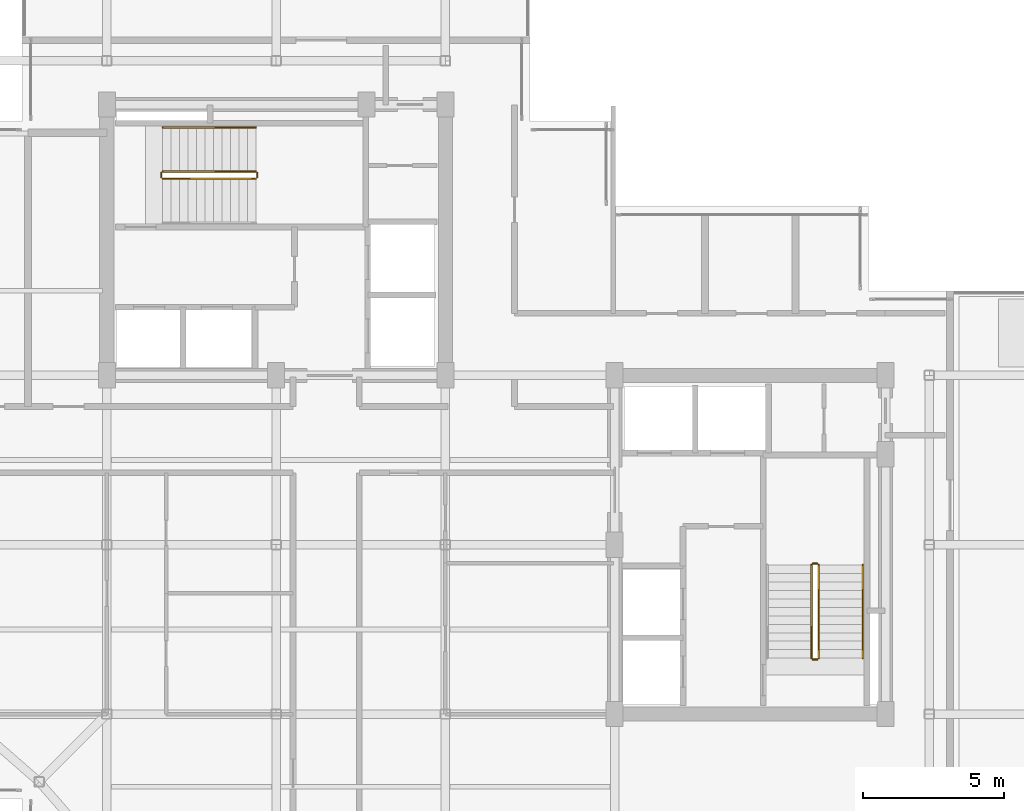
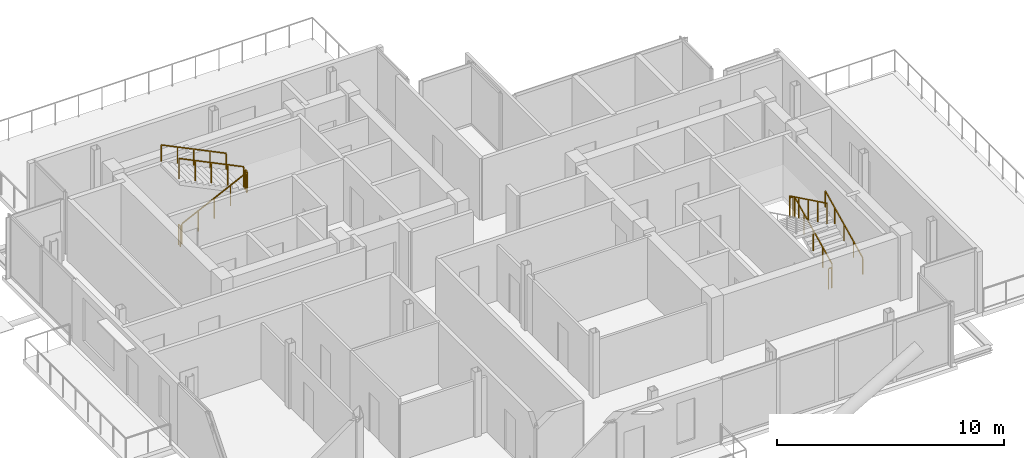
# One storey, part 18 of 19: 10 railings.
"""IFC4 building model written with IfcOpenShell, lengths in metres."""

from ifc_helpers import new_model, si_unit, direction, frame, origin, origin_2d, place, context, subcontext, project, spatial, rectangle, extrude, material, type_object, element, save


model = new_model("IFC4")

# Units and contexts
model_context = context("Model", 3, precision=1e-05, world=origin(), true_north=direction((0.0, 1.0)))
body_context = subcontext(model_context, "Body", "Model", "MODEL_VIEW")
ifc_project = project(units=[si_unit("LENGTHUNIT", "METRE"), si_unit("AREAUNIT", "SQUARE_METRE"), si_unit("VOLUMEUNIT", "CUBIC_METRE"), si_unit("PLANEANGLEUNIT", "RADIAN"), si_unit("MASSUNIT", "GRAM", prefix="KILO"), si_unit("THERMODYNAMICTEMPERATUREUNIT", "KELVIN"), si_unit("POWERUNIT", "WATT")], contexts=[model_context])

# Site, building, storey
site_placement = place(None, origin())
site = spatial("IfcSite", under=ifc_project, at=site_placement, CompositionType="ELEMENT")
building_placement = place(site_placement, origin())
building = spatial("IfcBuilding", under=site, at=building_placement, Name="Svarakhadi Broadcast Tower", CompositionType="ELEMENT")
storey_placement = place(building_placement, frame((0.0, 0.0, 239.699951171875)))
storey = spatial("IfcBuildingStorey", under=building, at=storey_placement, Name="L59", CompositionType="ELEMENT", Elevation=239.699951171875)

# Railings
ifc_material = material(Name="Anodised Bronze Aluminium AA 6063-T6", Category="aluminium")
railing_type_1 = type_object("IfcRailingType", Name="Guard_Stair_GR01", PredefinedType="GUARDRAIL", material=ifc_material)
railing_1_placement = place(storey_placement, frame((7.97998046875, 24.969970703125, 0.14599609375)))
element("IfcRailing", 1, at=railing_1_placement, inside=storey, type_object=railing_type_1, Name="L59 ST-01 stair guard 1", PredefinedType="GUARDRAIL", context=body_context, shape_type="SweptSolid", body=[
    extrude(rectangle(XDim=0.048095703125, YDim=0.048095703125, at=origin_2d()), frame((0.0, 0.0, 1.09619140625), z_axis=(0.899387838337, 0.0, 0.437151594131), x_axis=(0.0, 1.0, 0.0)), (0.0, 0.0, 1.0), 3.669189453125),
    extrude(rectangle(XDim=0.0419921875, YDim=0.0419921875, at=origin_2d()), origin(), (0.0, 0.0, 1.0), 1.072021484375),
    extrude(rectangle(XDim=0.0419921875, YDim=0.0419921875, at=origin_2d()), frame((0.824951171875, 0.0, 0.40087890625)), (0.0, 0.0, 1.0), 1.072021484375),
    extrude(rectangle(XDim=0.0419921875, YDim=0.0419921875, at=origin_2d()), frame((1.64990234375, 0.0, 0.802001953125)), (0.0, 0.0, 1.0), 1.072021484375),
    extrude(rectangle(XDim=0.0419921875, YDim=0.0419921875, at=origin_2d()), frame((2.47509765625, 0.0, 1.203125)), (0.0, 0.0, 1.0), 1.072021484375),
    extrude(rectangle(XDim=0.0419921875, YDim=0.0419921875, at=origin_2d()), frame((3.300048828125, 0.0, 1.60400390625)), (0.0, 0.0, 1.0), 1.072021484375),
])
railing_2_placement = place(storey_placement, frame((11.330078125, 25.02001953125, 1.75)))
element("IfcRailing", 2, at=railing_2_placement, inside=storey, type_object=railing_type_1, Name="L59 ST-01 stair guard 2", PredefinedType="GUARDRAIL", context=body_context, shape_type="SweptSolid", body=[
    extrude(rectangle(XDim=0.048095703125, YDim=0.048095703125, at=origin_2d()), frame((0.0, 0.0, 1.09619140625), z_axis=(0.0, 1.0, 0.0), x_axis=(-1.0, 0.0, 0.0)), (0.0, 0.0, 1.0), 0.159912109375),
    extrude(rectangle(XDim=0.0419921875, YDim=0.0419921875, at=origin_2d()), origin(), (0.0, 0.0, 1.0), 1.072021484375),
    extrude(rectangle(XDim=0.0419921875, YDim=0.0419921875, at=origin_2d()), frame((0.0, 0.159912109375, 0.0)), (0.0, 0.0, 1.0), 1.072021484375),
])
railing_3_placement = place(storey_placement, frame((11.280029296875, 25.22998046875, 1.89599609375)))
element("IfcRailing", 3, at=railing_3_placement, inside=storey, type_object=railing_type_1, Name="L59 ST-01 stair guard 3", PredefinedType="GUARDRAIL", context=body_context, shape_type="SweptSolid", body=[
    extrude(rectangle(XDim=0.048095703125, YDim=0.048095703125, at=origin_2d()), frame((0.0, 0.0, 1.09619140625), z_axis=(-0.899387838337, 0.0, 0.437151594131), x_axis=(0.0, -1.0, 0.0)), (0.0, 0.0, 1.0), 3.669189453125),
    extrude(rectangle(XDim=0.0419921875, YDim=0.0419921875, at=origin_2d()), origin(), (0.0, 0.0, 1.0), 1.072021484375),
    extrude(rectangle(XDim=0.0419921875, YDim=0.0419921875, at=origin_2d()), frame((-0.824951171875, 0.0, 0.40087890625)), (0.0, 0.0, 1.0), 1.072021484375),
    extrude(rectangle(XDim=0.0419921875, YDim=0.0419921875, at=origin_2d()), frame((-1.64990234375, 0.0, 0.802001953125)), (0.0, 0.0, 1.0), 1.072021484375),
    extrude(rectangle(XDim=0.0419921875, YDim=0.0419921875, at=origin_2d()), frame((-2.47509765625, 0.0, 1.203125)), (0.0, 0.0, 1.0), 1.072021484375),
    extrude(rectangle(XDim=0.0419921875, YDim=0.0419921875, at=origin_2d()), frame((-3.300048828125, 0.0, 1.60400390625)), (0.0, 0.0, 1.0), 1.072021484375),
])
railing_4_placement = place(storey_placement, frame((7.929931640625, 25.02001953125, 0.0)))
element("IfcRailing", 4, at=railing_4_placement, inside=storey, type_object=railing_type_1, Name="L59 ST-01 stair guard 4", PredefinedType="GUARDRAIL", context=body_context, shape_type="SweptSolid", body=[
    extrude(rectangle(XDim=0.048095703125, YDim=0.048095703125, at=origin_2d()), frame((0.0, 0.0, 1.09619140625), z_axis=(0.0, 1.0, 0.0), x_axis=(-1.0, 0.0, 0.0)), (0.0, 0.0, 1.0), 0.159912109375),
    extrude(rectangle(XDim=0.0419921875, YDim=0.0419921875, at=origin_2d()), origin(), (0.0, 0.0, 1.0), 1.072021484375),
    extrude(rectangle(XDim=0.0419921875, YDim=0.0419921875, at=origin_2d()), frame((0.0, 0.159912109375, 0.0)), (0.0, 0.0, 1.0), 1.072021484375),
])
railing_5_placement = place(storey_placement, frame((31.22998046875, 7.97998046875, 0.14599609375)))
element("IfcRailing", 5, at=railing_5_placement, inside=storey, type_object=railing_type_1, Name="L59 ST-02 stair guard 1", PredefinedType="GUARDRAIL", context=body_context, shape_type="SweptSolid", body=[
    extrude(rectangle(XDim=0.048095703125, YDim=0.048095703125, at=origin_2d()), frame((0.0, 0.0, 1.09619140625), z_axis=(0.0, 0.899387838337, 0.437151594131), x_axis=(-1.0, 0.0, 0.0)), (0.0, 0.0, 1.0), 3.669189453125),
    extrude(rectangle(XDim=0.0419921875, YDim=0.0419921875, at=origin_2d()), origin(), (0.0, 0.0, 1.0), 1.072021484375),
    extrude(rectangle(XDim=0.0419921875, YDim=0.0419921875, at=origin_2d()), frame((0.0, 0.824951171875, 0.40087890625)), (0.0, 0.0, 1.0), 1.072021484375),
    extrude(rectangle(XDim=0.0419921875, YDim=0.0419921875, at=origin_2d()), frame((0.0, 1.64990234375, 0.802001953125)), (0.0, 0.0, 1.0), 1.072021484375),
    extrude(rectangle(XDim=0.0419921875, YDim=0.0419921875, at=origin_2d()), frame((0.0, 2.47509765625, 1.203125)), (0.0, 0.0, 1.0), 1.072021484375),
    extrude(rectangle(XDim=0.0419921875, YDim=0.0419921875, at=origin_2d()), frame((0.0, 3.300048828125, 1.60400390625)), (0.0, 0.0, 1.0), 1.072021484375),
])
railing_6_placement = place(storey_placement, frame((31.179931640625, 11.330078125, 1.75)))
element("IfcRailing", 6, at=railing_6_placement, inside=storey, type_object=railing_type_1, Name="L59 ST-02 stair guard 2", PredefinedType="GUARDRAIL", context=body_context, shape_type="SweptSolid", body=[
    extrude(rectangle(XDim=0.048095703125, YDim=0.048095703125, at=origin_2d()), frame((0.0, 0.0, 1.09619140625), z_axis=(-1.0, 0.0, 0.0), x_axis=(0.0, -1.0, 0.0)), (0.0, 0.0, 1.0), 0.159912109375),
    extrude(rectangle(XDim=0.0419921875, YDim=0.0419921875, at=origin_2d()), origin(), (0.0, 0.0, 1.0), 1.072021484375),
    extrude(rectangle(XDim=0.0419921875, YDim=0.0419921875, at=origin_2d()), frame((-0.159912109375, 0.0, 0.0)), (0.0, 0.0, 1.0), 1.072021484375),
])
railing_7_placement = place(storey_placement, frame((30.969970703125, 11.280029296875, 1.89599609375)))
element("IfcRailing", 7, at=railing_7_placement, inside=storey, type_object=railing_type_1, Name="L59 ST-02 stair guard 3", PredefinedType="GUARDRAIL", context=body_context, shape_type="SweptSolid", body=[
    extrude(rectangle(XDim=0.048095703125, YDim=0.048095703125, at=origin_2d()), frame((0.0, 0.0, 1.09619140625), z_axis=(0.0, -0.899387838337, 0.437151594131), x_axis=(1.0, 0.0, 0.0)), (0.0, 0.0, 1.0), 3.669189453125),
    extrude(rectangle(XDim=0.0419921875, YDim=0.0419921875, at=origin_2d()), origin(), (0.0, 0.0, 1.0), 1.072021484375),
    extrude(rectangle(XDim=0.0419921875, YDim=0.0419921875, at=origin_2d()), frame((0.0, -0.824951171875, 0.40087890625)), (0.0, 0.0, 1.0), 1.072021484375),
    extrude(rectangle(XDim=0.0419921875, YDim=0.0419921875, at=origin_2d()), frame((0.0, -1.64990234375, 0.802001953125)), (0.0, 0.0, 1.0), 1.072021484375),
    extrude(rectangle(XDim=0.0419921875, YDim=0.0419921875, at=origin_2d()), frame((0.0, -2.47509765625, 1.203125)), (0.0, 0.0, 1.0), 1.072021484375),
    extrude(rectangle(XDim=0.0419921875, YDim=0.0419921875, at=origin_2d()), frame((0.0, -3.300048828125, 1.60400390625)), (0.0, 0.0, 1.0), 1.072021484375),
])
railing_8_placement = place(storey_placement, frame((31.179931640625, 7.929931640625, 0.0)))
element("IfcRailing", 8, at=railing_8_placement, inside=storey, type_object=railing_type_1, Name="L59 ST-02 stair guard 4", PredefinedType="GUARDRAIL", context=body_context, shape_type="SweptSolid", body=[
    extrude(rectangle(XDim=0.048095703125, YDim=0.048095703125, at=origin_2d()), frame((0.0, 0.0, 1.09619140625), z_axis=(-1.0, 0.0, 0.0), x_axis=(0.0, -1.0, 0.0)), (0.0, 0.0, 1.0), 0.159912109375),
    extrude(rectangle(XDim=0.0419921875, YDim=0.0419921875, at=origin_2d()), origin(), (0.0, 0.0, 1.0), 1.072021484375),
    extrude(rectangle(XDim=0.0419921875, YDim=0.0419921875, at=origin_2d()), frame((-0.159912109375, 0.0, 0.0)), (0.0, 0.0, 1.0), 1.072021484375),
])
railing_type_2 = type_object("IfcRailingType", Name="Handrail_Stair_HR01", PredefinedType="HANDRAIL", material=ifc_material)
railing_9_placement = place(storey_placement, frame((11.280029296875, 26.7900390625, 1.89599609375)))
element("IfcRailing", 9, at=railing_9_placement, inside=storey, type_object=railing_type_2, Name="L59 ST-01 stair handrail 2", PredefinedType="HANDRAIL", context=body_context, shape_type="SweptSolid", body=[
    extrude(rectangle(XDim=0.048095703125, YDim=0.048095703125, at=origin_2d()), frame((0.0, 0.0, 0.8759765625), z_axis=(-0.899387838337, 0.0, 0.437151594131), x_axis=(0.0, -1.0, 0.0)), (0.0, 0.0, 1.0), 3.669189453125),
    extrude(rectangle(XDim=0.0419921875, YDim=0.0419921875, at=origin_2d()), origin(), (0.0, 0.0, 1.0), 0.851806640625),
    extrude(rectangle(XDim=0.0419921875, YDim=0.0419921875, at=origin_2d()), frame((-0.824951171875, 0.0, 0.40087890625)), (0.0, 0.0, 1.0), 0.851806640625),
    extrude(rectangle(XDim=0.0419921875, YDim=0.0419921875, at=origin_2d()), frame((-1.64990234375, 0.0, 0.802001953125)), (0.0, 0.0, 1.0), 0.851806640625),
    extrude(rectangle(XDim=0.0419921875, YDim=0.0419921875, at=origin_2d()), frame((-2.47509765625, 0.0, 1.203125)), (0.0, 0.0, 1.0), 0.851806640625),
    extrude(rectangle(XDim=0.0419921875, YDim=0.0419921875, at=origin_2d()), frame((-3.300048828125, 0.0, 1.60400390625)), (0.0, 0.0, 1.0), 0.851806640625),
])
railing_10_placement = place(storey_placement, frame((32.7900390625, 7.97998046875, 0.14599609375)))
element("IfcRailing", 10, at=railing_10_placement, inside=storey, type_object=railing_type_2, Name="L59 ST-02 stair handrail 1", PredefinedType="HANDRAIL", context=body_context, shape_type="SweptSolid", body=[
    extrude(rectangle(XDim=0.048095703125, YDim=0.048095703125, at=origin_2d()), frame((0.0, 0.0, 0.8759765625), z_axis=(0.0, 0.899387838337, 0.437151594131), x_axis=(-1.0, 0.0, 0.0)), (0.0, 0.0, 1.0), 3.669189453125),
    extrude(rectangle(XDim=0.0419921875, YDim=0.0419921875, at=origin_2d()), origin(), (0.0, 0.0, 1.0), 0.851806640625),
    extrude(rectangle(XDim=0.0419921875, YDim=0.0419921875, at=origin_2d()), frame((0.0, 0.824951171875, 0.40087890625)), (0.0, 0.0, 1.0), 0.851806640625),
    extrude(rectangle(XDim=0.0419921875, YDim=0.0419921875, at=origin_2d()), frame((0.0, 1.64990234375, 0.802001953125)), (0.0, 0.0, 1.0), 0.851806640625),
    extrude(rectangle(XDim=0.0419921875, YDim=0.0419921875, at=origin_2d()), frame((0.0, 2.47509765625, 1.203125)), (0.0, 0.0, 1.0), 0.851806640625),
    extrude(rectangle(XDim=0.0419921875, YDim=0.0419921875, at=origin_2d()), frame((0.0, 3.300048828125, 1.60400390625)), (0.0, 0.0, 1.0), 0.851806640625),
])

save(model, "model.ifc")
